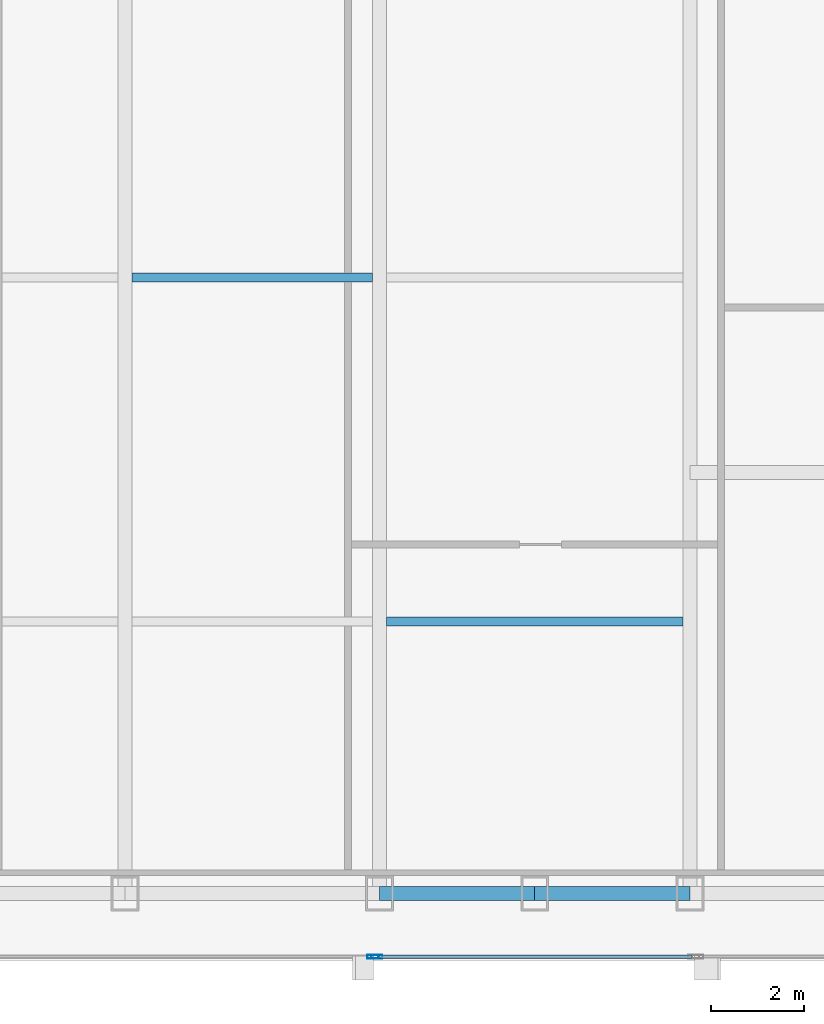
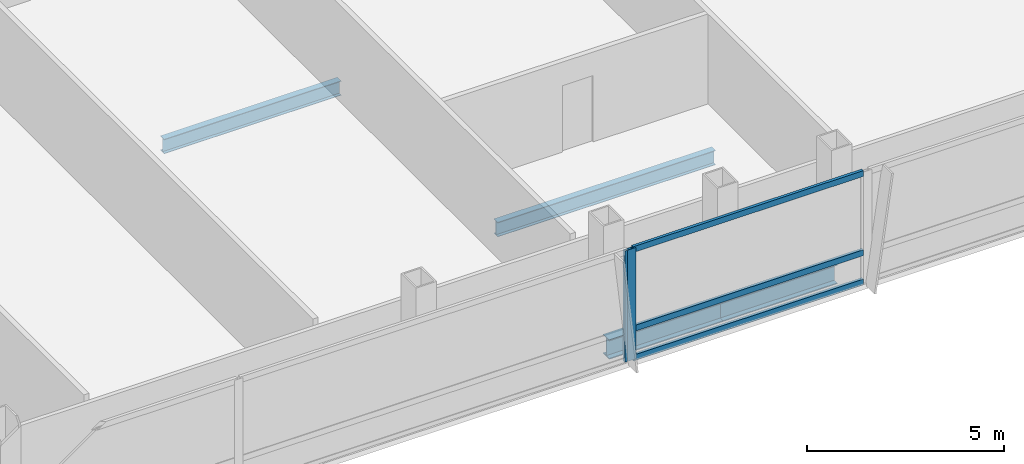
# One storey, part 12 of 30: 5 members, 4 beams, 2 elements without a shape of their own.
"""IFC4 building model written with IfcOpenShell, lengths in metres."""

from ifc_helpers import new_model, si_unit, direction, frame, origin, origin_2d, place, context, subcontext, project, spatial, hollow_rectangle, i_section, extrude, material, material_profile, profile_set, type_object, element, aggregate, save


model = new_model("IFC4")

# Units and contexts
model_context = context("Model", 3, precision=1e-05, world=origin(), true_north=direction((0.0, 1.0)))
body_context = subcontext(model_context, "Body", "Model", "MODEL_VIEW")
ifc_project = project(units=[si_unit("LENGTHUNIT", "METRE"), si_unit("AREAUNIT", "SQUARE_METRE"), si_unit("VOLUMEUNIT", "CUBIC_METRE"), si_unit("PLANEANGLEUNIT", "RADIAN"), si_unit("MASSUNIT", "GRAM", prefix="KILO")], contexts=[model_context])

# Site, building, storey
site_placement = place(None, origin())
site = spatial("IfcSite", under=ifc_project, at=site_placement, CompositionType="ELEMENT")
building_placement = place(site_placement, origin())
building = spatial("IfcBuilding", under=site, at=building_placement, Name="Khoronbel Lancet Exchange", CompositionType="ELEMENT")
storey_placement = place(building_placement, frame((0.0, 0.0, 224.60009765625)))
storey = spatial("IfcBuildingStorey", under=building, at=storey_placement, Name="L57", CompositionType="ELEMENT", Elevation=224.60009765625)

# Beams
ifc_material_1 = material(Name="Steel S355", Category="steel")
ifc_material_profile_1 = material_profile(ifc_material_1, i_section(OverallWidth=0.18994140625, OverallDepth=0.449951171875, WebThickness=0.009521484375, FlangeThickness=0.0146484375, at=origin_2d()), Name="IPE 450")
ifc_profile_set_1 = profile_set([ifc_material_profile_1], Name="Steel S355")
beam_type_1 = type_object("IfcBeamType", Name="BM-BJ4", PredefinedType="JOIST", material=ifc_profile_set_1)
beam_1_placement = place(storey_placement, frame((48.14990234375, 16.0, -0.385009765625), z_axis=(1.0, 0.0, 0.0), x_axis=(0.0, 1.0, 0.0)))
element("IfcBeam", 1, at=beam_1_placement, inside=storey, type_object=beam_type_1, Name="Level L57 secondary composite joist J05", PredefinedType="JOIST", context=body_context, shape_type="SweptSolid", body=[
    extrude(i_section(OverallWidth=0.18994140625, OverallDepth=0.449951171875, WebThickness=0.009521484375, FlangeThickness=0.0146484375, at=origin_2d()), origin(), (0.0, 0.0, 1.0), 6.375),
])
beam_2_placement = place(storey_placement, frame((42.675048828125, 23.39990234375, -0.385009765625), z_axis=(1.0, 0.0, 0.0), x_axis=(0.0, 1.0, 0.0)))
element("IfcBeam", 2, at=beam_2_placement, inside=storey, type_object=beam_type_1, Name="Level L57 secondary composite joist J09", PredefinedType="JOIST", context=body_context, shape_type="SweptSolid", body=[
    extrude(i_section(OverallWidth=0.18994140625, OverallDepth=0.449951171875, WebThickness=0.009521484375, FlangeThickness=0.0146484375, at=origin_2d()), origin(), (0.0, 0.0, 1.0), 5.175048828125),
])
ifc_material_profile_2 = material_profile(ifc_material_1, i_section(OverallWidth=0.300048828125, OverallDepth=0.60009765625, WebThickness=0.015380859375, FlangeThickness=0.030029296875, at=origin_2d()), Name="HEB 600")
ifc_profile_set_2 = profile_set([ifc_material_profile_2], Name="Steel S355")
beam_type_2 = type_object("IfcBeamType", Name="BM-BSP2", PredefinedType="SPANDREL", material=ifc_profile_set_2)
beam_3_placement = place(storey_placement, frame((48.0, 10.14990234375, -0.460205078125), z_axis=(1.0, 0.0, 0.0), x_axis=(0.0, 1.0, 0.0)))
element("IfcBeam", 3, at=beam_3_placement, inside=storey, type_object=beam_type_2, Name="Level L57 perimeter spandrel beam SP07", PredefinedType="SPANDREL", context=body_context, shape_type="SweptSolid", body=[
    extrude(i_section(OverallWidth=0.300048828125, OverallDepth=0.60009765625, WebThickness=0.015380859375, FlangeThickness=0.030029296875, at=origin_2d()), origin(), (0.0, 0.0, 1.0), 3.33740234375),
])
beam_4_placement = place(storey_placement, frame((51.33740234375, 10.14990234375, -0.460205078125), z_axis=(1.0, 0.0, 0.0), x_axis=(0.0, 1.0, 0.0)))
element("IfcBeam", 4, at=beam_4_placement, inside=storey, type_object=beam_type_2, Name="Level L57 perimeter spandrel beam SP08", PredefinedType="SPANDREL", context=body_context, shape_type="SweptSolid", body=[
    extrude(i_section(OverallWidth=0.300048828125, OverallDepth=0.60009765625, WebThickness=0.015380859375, FlangeThickness=0.030029296875, at=origin_2d()), origin(), (0.0, 0.0, 1.0), 3.337646484375),
])

# Curtain wall, member
ifc_material_2 = material(Name="Low-E Solar Control Insulating Glass", Category="glass")
curtain_wall_type = type_object("IfcCurtainWallType", Name="CW-3", PredefinedType="NOTDEFINED", material=ifc_material_2)
curtain_wall_1_placement = place(storey_placement, origin())
curtain_wall_1 = element("IfcCurtainWall", 5, at=curtain_wall_1_placement, inside=storey, type_object=curtain_wall_type, Name="Unitised curtain wall CW-L57-SCV", PredefinedType="NOTDEFINED")
ifc_material_3 = material(Name="Bronze-Anodised Aluminium 6063-T6", Category="aluminium")
ifc_material_profile_3 = material_profile(ifc_material_3, hollow_rectangle(XDim=0.0849609375, YDim=0.239990234375, WallThickness=0.006103515625, at=origin_2d()), Name="ALU MULLION 85x240")
ifc_profile_set_3 = profile_set([ifc_material_profile_3], Name="Bronze-Anodised Aluminium 6063-T6")
member_type_1 = type_object("IfcMemberType", Name="MEM-CWM1", PredefinedType="MULLION", material=ifc_profile_set_3)
member_1_placement = place(storey_placement, frame((47.857421875, 8.7900390625, 0.0), z_axis=(0.0, 0.0, 1.0), x_axis=(0.0, 1.0, 0.0)))
member_1 = element("IfcMember", 6, at=member_1_placement, type_object=member_type_1, Name="CW3 mullion 3", PredefinedType="MULLION", context=body_context, shape_type="SweptSolid", body=[
    extrude(hollow_rectangle(XDim=0.0849609375, YDim=0.239990234375, WallThickness=0.006103515625, at=origin_2d()), origin(), (0.0, 0.0, 1.0), 3.43994140625),
])
aggregate(curtain_wall_1, [member_1])

# Curtain wall, members
curtain_wall_2_placement = place(storey_placement, origin())
curtain_wall_2 = element("IfcCurtainWall", 7, at=curtain_wall_2_placement, inside=storey, type_object=curtain_wall_type, Name="Unitised curtain wall CW-L57-SEB", PredefinedType="NOTDEFINED")
member_2_placement = place(storey_placement, frame((47.9423828125, 8.7900390625, 0.0), z_axis=(0.0, 0.0, 1.0), x_axis=(0.0, 1.0, 0.0)))
member_2 = element("IfcMember", 8, at=member_2_placement, type_object=member_type_1, Name="CW3 mullion 1", PredefinedType="MULLION", context=body_context, shape_type="SweptSolid", body=[
    extrude(hollow_rectangle(XDim=0.0849609375, YDim=0.239990234375, WallThickness=0.006103515625, at=origin_2d()), origin(), (0.0, 0.0, 1.0), 3.43994140625),
])
ifc_material_profile_4 = material_profile(ifc_material_3, hollow_rectangle(XDim=0.0849609375, YDim=0.179931640625, WallThickness=0.0048828125, at=origin_2d()), Name="ALU TRANSOM 85x180")
ifc_profile_set_4 = profile_set([ifc_material_profile_4], Name="Bronze-Anodised Aluminium 6063-T6")
member_type_2 = type_object("IfcMemberType", Name="MEM-CWT1", PredefinedType="USERDEFINED", material=ifc_profile_set_4)
member_3_placement = place(storey_placement, frame((47.985107421875, 8.7900390625, 0.04248046875), z_axis=(1.0, 0.0, 0.0), x_axis=(0.0, 1.0, 0.0)))
member_3 = element("IfcMember", 9, at=member_3_placement, type_object=member_type_2, Name="CW3 transom 1.1", ObjectType="TRANSOM", PredefinedType="USERDEFINED", context=body_context, shape_type="SweptSolid", body=[
    extrude(hollow_rectangle(XDim=0.0849609375, YDim=0.179931640625, WallThickness=0.0048828125, at=origin_2d()), origin(), (0.0, 0.0, 1.0), 6.72998046875),
])
member_4_placement = place(storey_placement, frame((47.985107421875, 8.7900390625, 0.949951171875), z_axis=(1.0, 0.0, 0.0), x_axis=(0.0, 1.0, 0.0)))
member_4 = element("IfcMember", 10, at=member_4_placement, type_object=member_type_2, Name="CW3 transom 1.2", ObjectType="TRANSOM", PredefinedType="USERDEFINED", context=body_context, shape_type="SweptSolid", body=[
    extrude(hollow_rectangle(XDim=0.0849609375, YDim=0.179931640625, WallThickness=0.0048828125, at=origin_2d()), origin(), (0.0, 0.0, 1.0), 6.72998046875),
])
member_5_placement = place(storey_placement, frame((47.985107421875, 8.7900390625, 3.3974609375), z_axis=(1.0, 0.0, 0.0), x_axis=(0.0, 1.0, 0.0)))
member_5 = element("IfcMember", 11, at=member_5_placement, type_object=member_type_2, Name="CW3 transom 1.3", ObjectType="TRANSOM", PredefinedType="USERDEFINED", context=body_context, shape_type="SweptSolid", body=[
    extrude(hollow_rectangle(XDim=0.0849609375, YDim=0.179931640625, WallThickness=0.0048828125, at=origin_2d()), origin(), (0.0, 0.0, 1.0), 6.72998046875),
])
aggregate(curtain_wall_2, [member_2, member_3, member_4, member_5])

save(model, "model.ifc")
